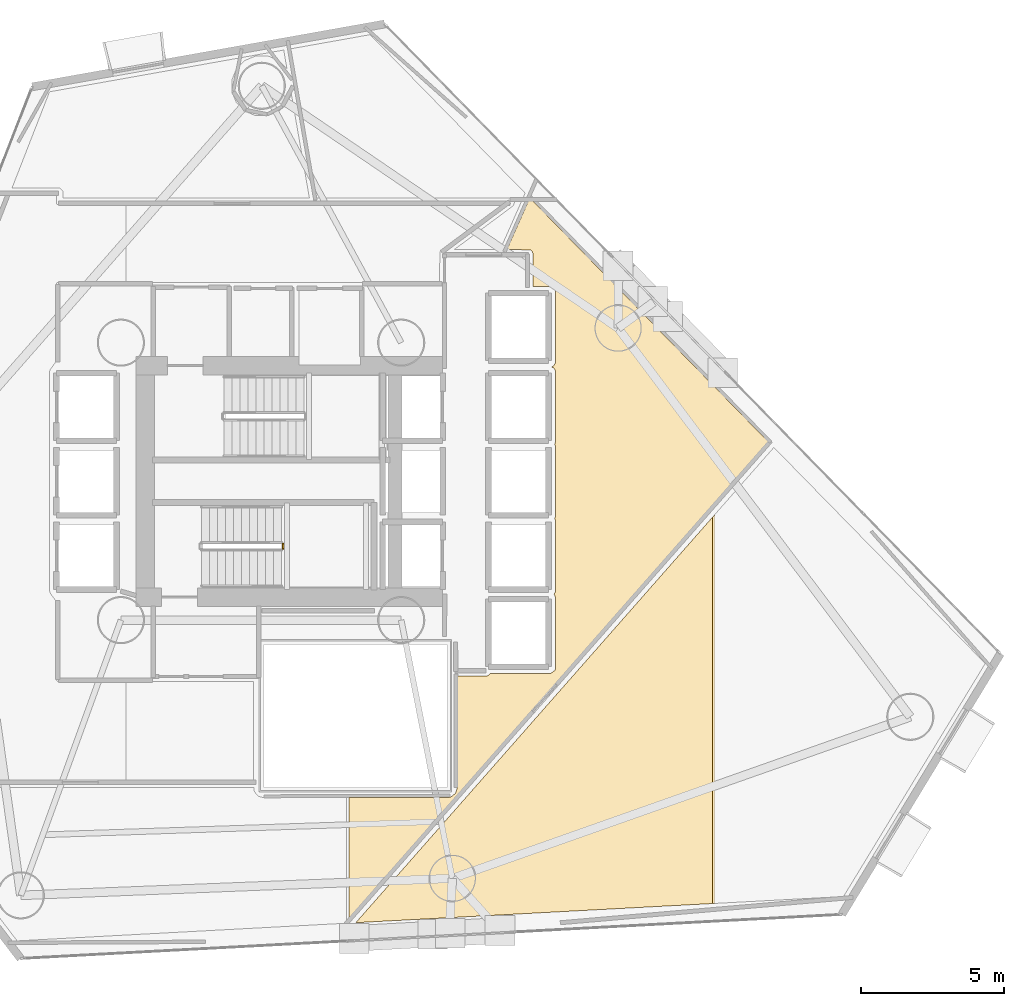
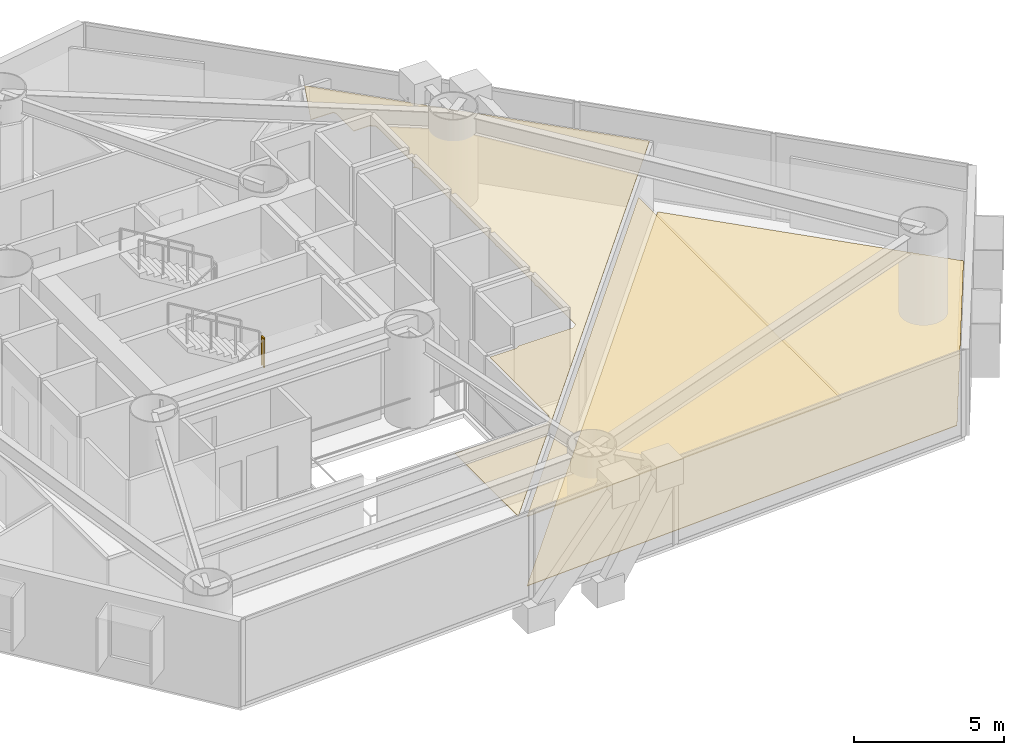
# One storey, part 21 of 23: 3 coverings, 1 railing.
"""IFC4 building model written with IfcOpenShell, lengths in metres."""

from ifc_helpers import new_model, si_unit, direction, frame, origin, origin_2d, place, context, subcontext, project, spatial, polyline, rectangle, outline, extrude, material, layer, layer_set, type_object, element, save


model = new_model("IFC4")

# Units and contexts
model_context = context("Model", 3, precision=1e-05, world=origin(), true_north=direction((0.0, 1.0)))
body_context = subcontext(model_context, "Body", "Model", "MODEL_VIEW")
ifc_project = project(units=[si_unit("LENGTHUNIT", "METRE"), si_unit("AREAUNIT", "SQUARE_METRE"), si_unit("VOLUMEUNIT", "CUBIC_METRE"), si_unit("PLANEANGLEUNIT", "RADIAN"), si_unit("MASSUNIT", "GRAM", prefix="KILO")], contexts=[model_context])

# Site, building, storey
site_placement = place(None, origin())
site = spatial("IfcSite", under=ifc_project, at=site_placement, CompositionType="ELEMENT")
building_placement = place(site_placement, origin())
building = spatial("IfcBuilding", under=site, at=building_placement, Name="Qianvela Tower", CompositionType="ELEMENT")
storey_placement = place(building_placement, frame((0.0, 0.0, 56.199951171875)))
storey = spatial("IfcBuildingStorey", under=building, at=storey_placement, Name="L13", CompositionType="ELEMENT", Elevation=56.199951171875)

# Coverings
ifc_material_1 = material(Name="Perforated Mineral Acoustic Ceiling Tile")
ifc_layer_1 = layer(ifc_material_1, 0.02490234375)
ifc_layer_set_1 = layer_set([ifc_layer_1], Name="Perforated Mineral Acoustic Ceiling Tile")
covering_type_1 = type_object("IfcCoveringType", Name="COV-CEIL-ACOUSTIC-25", PredefinedType="CEILING", material=ifc_layer_set_1)
covering_1_placement = place(storey_placement, frame((0.0, 0.0, 2.81494140625)))
element("IfcCovering", 1, at=covering_1_placement, inside=storey, type_object=covering_type_1, Name="L13 Acoustic Ceiling Bay 2 Student Reading Library L13-01A", PredefinedType="CEILING", context=body_context, shape_type="SweptSolid", body=[
    extrude(outline(polyline([(40.0, 17.639892578125), (40.0078125, 17.640380859375), (40.015625, 17.6416015625), (40.122802734375, 17.662841796875), (40.13037109375, 17.664794921875), (40.1376953125, 17.66748046875), (40.14501953125, 17.6708984375), (40.151611328125, 17.6748046875), (40.157958984375, 17.679443359375), (40.28369140625, 17.78271484375), (40.289306640625, 17.787841796875), (40.294677734375, 17.793701171875), (40.29931640625, 17.800048828125), (40.303466796875, 17.806640625), (40.306640625, 17.813720703125), (40.309326171875, 17.8212890625), (40.356689453125, 17.976806640625), (40.3583984375, 17.984375), (40.359619140625, 17.9921875), (40.360107421875, 18.0), (40.360107421875, 21.889892578125), (41.367919921875, 21.890380859375), (41.375732421875, 21.890869140625), (41.383544921875, 21.891845703125), (41.39111328125, 21.893798828125), (41.3984375, 21.896484375), (41.405517578125, 21.89990234375), (41.45947265625, 21.9287109375), (41.46630859375, 21.932861328125), (41.472900390625, 21.9375), (41.478759765625, 21.943115234375), (41.48388671875, 21.948974609375), (41.48876953125, 21.955322265625), (41.492919921875, 21.96240234375), (41.49609375, 21.969482421875), (41.498779296875, 21.97705078125), (41.49951171875, 21.97998046875), (43.59375, 21.980712890625), (43.602294921875, 21.981201171875), (43.610595703125, 21.982421875), (43.618896484375, 21.984619140625), (43.626708984375, 21.98779296875), (43.63427734375, 21.99169921875), (43.641357421875, 21.996337890625), (43.757080078125, 22.082275390625), (43.763427734375, 22.08740234375), (43.769287109375, 22.09326171875), (43.7744140625, 22.099609375), (43.77880859375, 22.106689453125), (43.782470703125, 22.114013671875), (43.785400390625, 22.12158203125), (43.78759765625, 22.129638671875), (43.788818359375, 22.1376953125), (43.789306640625, 22.14599609375), (43.800048828125, 24.599609375), (43.7998046875, 24.606689453125), (43.798828125, 24.613525390625), (43.79736328125, 24.620361328125), (43.79541015625, 24.626953125), (43.763427734375, 24.7158203125), (43.760498046875, 24.722900390625), (43.7568359375, 24.72998046875), (43.75244140625, 24.736572265625), (43.74755859375, 24.742431640625), (43.741943359375, 24.748046875), (43.739990234375, 24.74951171875), (43.743408203125, 24.75341796875), (43.74755859375, 24.760009765625), (43.751220703125, 24.766845703125), (43.79150390625, 24.85205078125), (43.794921875, 24.860107421875), (43.79736328125, 24.86865234375), (43.798828125, 24.87744140625), (43.79931640625, 24.88623046875), (43.800048828125, 27.300048828125), (43.799560546875, 27.307861328125), (43.79833984375, 27.31591796875), (43.79638671875, 27.323486328125), (43.793701171875, 27.3310546875), (43.7646484375, 27.39990234375), (43.793701171875, 27.468994140625), (43.79638671875, 27.476318359375), (43.79833984375, 27.484130859375), (43.799560546875, 27.491943359375), (43.800048828125, 27.5), (43.800048828125, 29.89990234375), (43.799560546875, 29.907958984375), (43.79833984375, 29.915771484375), (43.79638671875, 29.923583984375), (43.793701171875, 29.93115234375), (43.7646484375, 30.0), (43.793701171875, 30.06884765625), (43.79638671875, 30.076416015625), (43.79833984375, 30.084228515625), (43.799560546875, 30.09228515625), (43.800048828125, 30.10009765625), (43.7939453125, 32.540771484375), (43.793701171875, 32.548583984375), (43.79248046875, 32.556396484375), (43.79052734375, 32.56396484375), (43.787841796875, 32.5712890625), (43.784423828125, 32.578369140625), (43.780517578125, 32.585205078125), (43.7353515625, 32.652587890625), (43.73095703125, 32.658447265625), (43.726318359375, 32.6640625), (43.720947265625, 32.6689453125), (43.715087890625, 32.673583984375), (43.708984375, 32.677490234375), (43.702392578125, 32.680908203125), (43.69580078125, 32.68359375), (43.6533203125, 32.69873046875), (43.699462890625, 32.718017578125), (43.70703125, 32.721435546875), (43.71435546875, 32.72607421875), (43.72119140625, 32.731201171875), (43.727294921875, 32.737060546875), (43.732666015625, 32.74365234375), (43.7373046875, 32.750732421875), (43.785888671875, 32.83154296875), (43.789306640625, 32.837890625), (43.792236328125, 32.844482421875), (43.79443359375, 32.8515625), (43.7958984375, 32.8583984375), (43.797119140625, 32.86572265625), (43.79736328125, 32.872802734375), (43.789306640625, 35.353759765625), (43.788818359375, 35.362060546875), (43.78759765625, 35.3701171875), (43.785400390625, 35.378173828125), (43.782470703125, 35.385986328125), (43.77880859375, 35.393310546875), (43.7744140625, 35.400146484375), (43.769287109375, 35.40673828125), (43.763427734375, 35.41259765625), (43.757080078125, 35.417724609375), (43.641357421875, 35.503662109375), (43.63427734375, 35.50830078125), (43.626708984375, 35.51220703125), (43.618896484375, 35.515380859375), (43.610595703125, 35.517578125), (43.602294921875, 35.518798828125), (43.59375, 35.519287109375), (43.0, 35.52001953125), (43.010009765625, 36.6494140625), (43.009765625, 36.656494140625), (43.0087890625, 36.66357421875), (43.00732421875, 36.670654296875), (43.005126953125, 36.677490234375), (43.002197265625, 36.68408203125), (42.97314453125, 36.74609375), (42.96923828125, 36.753173828125), (42.96484375, 36.759765625), (42.959716796875, 36.76611328125), (42.953857421875, 36.771728515625), (42.947509765625, 36.776611328125), (42.94091796875, 36.781005859375), (42.93359375, 36.784912109375), (42.926025390625, 36.78759765625), (42.918212890625, 36.789794921875), (42.910400390625, 36.791259765625), (42.90234375, 36.791748046875), (42.098388671875, 36.8076171875), (42.896728515625, 38.609130859375), (51.232666015625, 30.0869140625), (36.569580078125, 13.418701171875), (36.569580078125, 17.639892578125), (40.0, 17.639892578125)])), origin(), (0.0, 0.0, 1.0), 0.025146484375),
])
covering_2_placement = place(storey_placement, frame((0.0, 0.0, 2.81494140625)))
element("IfcCovering", 2, at=covering_2_placement, inside=storey, type_object=covering_type_1, Name="L13 Acoustic Ceiling Bay 1 Media Practice Cinema L13-01B", PredefinedType="CEILING", context=body_context, shape_type="SweptSolid", body=[
    extrude(outline(polyline([(36.811767578125, 13.27001953125), (49.2763671875, 27.439208984375), (49.2763671875, 13.93896484375), (36.811767578125, 13.27001953125)])), origin(), (0.0, 0.0, 1.0), 0.025146484375),
])
ifc_material_2 = material(Name="Engineered Acoustic Oak Timber Flooring", Category="wood")
ifc_layer_2 = layer(ifc_material_2, 0.02001953125)
ifc_layer_set_2 = layer_set([ifc_layer_2], Name="Engineered Acoustic Oak Timber Flooring")
covering_type_2 = type_object("IfcCoveringType", Name="COV-FLOOR-OAK-20", PredefinedType="FLOORING", material=ifc_layer_set_2)
covering_3_placement = place(storey_placement, origin())
element("IfcCovering", 3, at=covering_3_placement, inside=storey, type_object=covering_type_2, Name="L13 Finish Flooring Media Practice Cinema L13-01B", PredefinedType="FLOORING", context=body_context, shape_type="SweptSolid", body=[
    extrude(outline(polyline([(53.864501953125, 14.185302734375), (36.811767578125, 13.27001953125), (51.42919921875, 29.885986328125), (58.818359375, 22.331787109375), (53.864501953125, 14.185302734375)])), origin(), (0.0, 0.0, 1.0), 0.02001953125),
])

# Railing
ifc_material_3 = material(Name="Painted Tubular Steel Q355B", Category="steel")
railing_type = type_object("IfcRailingType", Name="RL-STAIR-GUARD-1200", PredefinedType="GUARDRAIL", material=ifc_material_3)
railing_placement = place(storey_placement, frame((34.27001953125, 26.35009765625, 1.85009765625)))
element("IfcRailing", 4, at=railing_placement, inside=storey, type_object=railing_type, Name="L13 ST-2 stair guard 2", PredefinedType="GUARDRAIL", context=body_context, shape_type="SweptSolid", body=[
    extrude(rectangle(XDim=0.050048828125, YDim=0.0400390625, at=origin_2d()), frame((0.0, 0.0, 1.179931640625), z_axis=(0.0, 1.0, 0.0), x_axis=(-1.0, 0.0, 0.0)), (0.0, 0.0, 1.0), 0.159912109375),
    extrude(rectangle(XDim=0.050048828125, YDim=0.050048828125, at=origin_2d()), origin(), (0.0, 0.0, 1.0), 1.159912109375),
    extrude(rectangle(XDim=0.050048828125, YDim=0.050048828125, at=origin_2d()), frame((0.0, 0.159912109375, 0.0)), (0.0, 0.0, 1.0), 1.159912109375),
])

save(model, "model.ifc")
